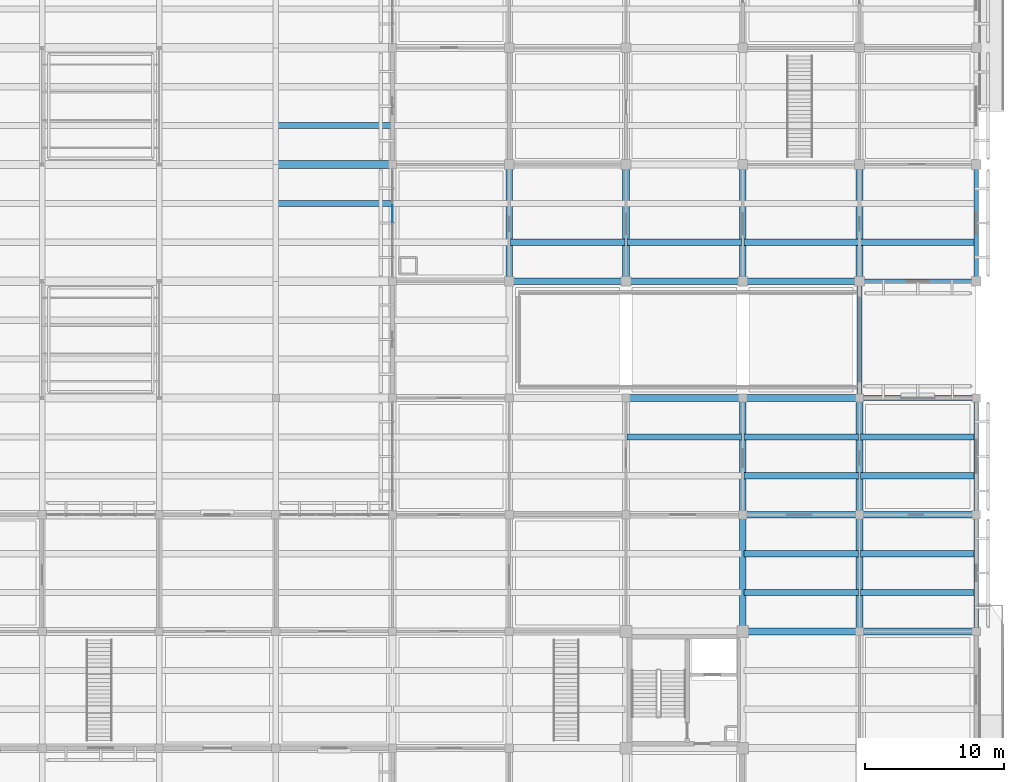
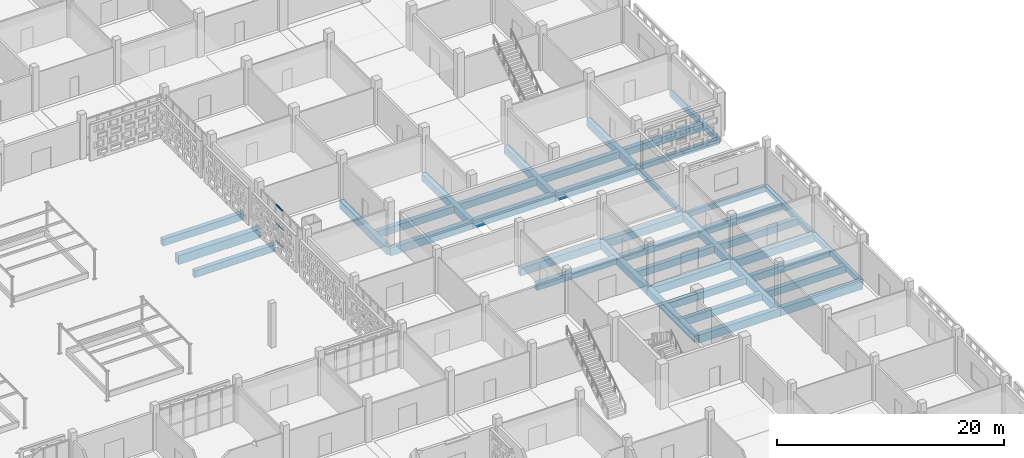
# One storey, part 40 of 129: 39 beams, 3 members, 1 element without a shape of its own.
"""IFC4 building model written with IfcOpenShell, lengths in metres."""

from ifc_helpers import new_model, si_unit, direction, frame, origin, origin_2d, place, context, subcontext, project, spatial, rectangle, extrude, material, layer, layer_set, material_profile, profile_set, type_object, element, aggregate, save


model = new_model("IFC4")

# Units and contexts
model_context = context("Model", 3, precision=1e-05, world=origin(), true_north=direction((0.0, 1.0)))
body_context = subcontext(model_context, "Body", "Model", "MODEL_VIEW")
ifc_project = project(units=[si_unit("LENGTHUNIT", "METRE"), si_unit("AREAUNIT", "SQUARE_METRE"), si_unit("VOLUMEUNIT", "CUBIC_METRE"), si_unit("PLANEANGLEUNIT", "RADIAN"), si_unit("MASSUNIT", "GRAM", prefix="KILO")], contexts=[model_context])

# Site, building, storey
site_placement = place(None, origin())
site = spatial("IfcSite", under=ifc_project, at=site_placement, CompositionType="ELEMENT")
building_placement = place(site_placement, origin())
building = spatial("IfcBuilding", under=site, at=building_placement, Name="Varnapada Polytechnic", CompositionType="ELEMENT")
storey_placement = place(building_placement, origin())
storey = spatial("IfcBuildingStorey", under=building, at=storey_placement, Name="L00", CompositionType="ELEMENT", Elevation=0.0)

# Beams
ifc_material_1 = material(Name="Concrete C40/50", Category="concrete")
ifc_material_profile_1 = material_profile(ifc_material_1, rectangle(XDim=0.449951171875, YDim=0.75, at=origin_2d()), Name="RC 450x750")
ifc_profile_set_1 = profile_set([ifc_material_profile_1], Name="Concrete C40/50")
beam_type_1 = type_object("IfcBeamType", Name="Basement/podium secondary beam BB-01 (RC 450x750)", PredefinedType="BEAM", material=ifc_profile_set_1)
for number, where, z_axis, x_axis, name in (
    (1, (126.080078125, 64.39990234375, -0.675048828125), (1.0, 0.0, 0.0), (0.0, 1.0, 0.0), "L00 floor joist 16/8.2"),
    (2, (126.080078125, 70.0, -0.675048828125), (1.0, 0.0, 0.0), (0.0, 1.0, 0.0), "L00 floor joist 16/9.1"),
):
    element("IfcBeam", number, at=place(storey_placement, frame(where, z_axis=z_axis, x_axis=x_axis)), inside=storey, type_object=beam_type_1, Name=name, PredefinedType="BEAM", context=body_context, shape_type="SweptSolid", body=[
        extrude(rectangle(XDim=0.449951171875, YDim=0.75, at=origin_2d()), origin(), (0.0, 0.0, 1.0), 8.239990234375),
    ])
beam_1_placement = place(storey_placement, frame((142.8798828125, 61.60009765625, -0.675048828125), z_axis=(1.0, 0.0, 0.0), x_axis=(0.0, 1.0, 0.0)))
element("IfcBeam", 3, at=beam_1_placement, inside=storey, type_object=beam_type_1, Name="L00 floor joist 18/8.1", PredefinedType="BEAM", context=body_context, shape_type="SweptSolid", body=[
    extrude(rectangle(XDim=0.449951171875, YDim=0.75, at=origin_2d()), origin(), (0.0, 0.0, 1.0), 8.240234375),
])
for number, where, z_axis, x_axis, name in (
    (4, (151.280029296875, 47.60009765625, -0.675048828125), (1.0, 0.0, 0.0), (0.0, 1.0, 0.0), "L00 floor joist 19/6.2"),
    (5, (151.280029296875, 61.60009765625, -0.675048828125), (1.0, 0.0, 0.0), (0.0, 1.0, 0.0), "L00 floor joist 19/8.1"),
    (6, (159.679931640625, 36.39990234375, -0.675048828125), (1.0, 0.0, 0.0), (0.0, 1.0, 0.0), "L00 floor joist 20/5.1"),
    (7, (159.679931640625, 39.199951171875, -0.675048828125), (1.0, 0.0, 0.0), (0.0, 1.0, 0.0), "L00 floor joist 20/5.2"),
    (8, (159.679931640625, 44.800048828125, -0.675048828125), (1.0, 0.0, 0.0), (0.0, 1.0, 0.0), "L00 floor joist 20/6.1"),
    (9, (159.679931640625, 47.60009765625, -0.675048828125), (1.0, 0.0, 0.0), (0.0, 1.0, 0.0), "L00 floor joist 20/6.2"),
    (10, (159.679931640625, 61.60009765625, -0.675048828125), (1.0, 0.0, 0.0), (0.0, 1.0, 0.0), "L00 floor joist 20/8.1"),
    (11, (168.080078125, 36.39990234375, -0.675048828125), (1.0, 0.0, 0.0), (0.0, 1.0, 0.0), "L00 floor joist 21/5.1"),
    (12, (168.080078125, 39.199951171875, -0.675048828125), (1.0, 0.0, 0.0), (0.0, 1.0, 0.0), "L00 floor joist 21/5.2"),
    (13, (168.080078125, 44.800048828125, -0.675048828125), (1.0, 0.0, 0.0), (0.0, 1.0, 0.0), "L00 floor joist 21/6.1"),
    (14, (168.080078125, 47.60009765625, -0.675048828125), (1.0, 0.0, 0.0), (0.0, 1.0, 0.0), "L00 floor joist 21/6.2"),
    (15, (168.080078125, 61.60009765625, -0.675048828125), (1.0, 0.0, 0.0), (0.0, 1.0, 0.0), "L00 floor joist 21/8.1"),
):
    element("IfcBeam", number, at=place(storey_placement, frame(where, z_axis=z_axis, x_axis=x_axis)), inside=storey, type_object=beam_type_1, Name=name, PredefinedType="BEAM", context=body_context, shape_type="SweptSolid", body=[
        extrude(rectangle(XDim=0.449951171875, YDim=0.75, at=origin_2d()), origin(), (0.0, 0.0, 1.0), 8.239990234375),
    ])
ifc_material_profile_2 = material_profile(ifc_material_1, rectangle(XDim=0.35009765625, YDim=0.550048828125, at=origin_2d()), Name="RC 350x550")
ifc_profile_set_2 = profile_set([ifc_material_profile_2], Name="Concrete C40/50")
beam_type_2 = type_object("IfcBeamType", Name="Concrete podium spandrel beam SP-01 (RC 350x550)", PredefinedType="SPANDREL", material=ifc_profile_set_2)
for number, where, z_axis, x_axis, name in (
    (16, (168.0, 50.39990234375, -0.574951171875), (1.0, 0.0, 0.0), (0.0, 1.0, 0.0), "L00 beam X 21-22 at Y7"),
    (17, (168.0, 58.800048828125, -0.574951171875), (1.0, 0.0, 0.0), (0.0, 1.0, 0.0), "L00 beam X 21-22 at Y8"),
):
    element("IfcBeam", number, at=place(storey_placement, frame(where, z_axis=z_axis, x_axis=x_axis)), inside=storey, type_object=beam_type_2, Name=name, PredefinedType="SPANDREL", context=body_context, shape_type="SweptSolid", body=[
        extrude(rectangle(XDim=0.35009765625, YDim=0.550048828125, at=origin_2d()), origin(), (0.0, 0.0, 1.0), 8.39990234375),
    ])
beam_2_placement = place(storey_placement, frame((168.0, 50.39990234375, -0.574951171875), z_axis=(0.0, 1.0, 0.0), x_axis=(-1.0, 0.0, 0.0)))
element("IfcBeam", 18, at=beam_2_placement, inside=storey, type_object=beam_type_2, Name="L00 beam Y 7-8 at X21", PredefinedType="SPANDREL", context=body_context, shape_type="SweptSolid", body=[
    extrude(rectangle(XDim=0.35009765625, YDim=0.550048828125, at=origin_2d()), origin(), (0.0, 0.0, 1.0), 8.400146484375),
])
for number, where, z_axis, x_axis, name in (
    (19, (176.39990234375, 33.60009765625, -0.574951171875), (0.0, 1.0, 0.0), (-1.0, 0.0, 0.0), "L00 beam Y 5-6 at X22"),
    (20, (176.39990234375, 42.0, -0.574951171875), (0.0, 1.0, 0.0), (-1.0, 0.0, 0.0), "L00 beam Y 6-7 at X22"),
    (21, (176.39990234375, 58.800048828125, -0.574951171875), (0.0, 1.0, 0.0), (-1.0, 0.0, 0.0), "L00 beam Y 8-9 at X22"),
):
    element("IfcBeam", number, at=place(storey_placement, frame(where, z_axis=z_axis, x_axis=x_axis)), inside=storey, type_object=beam_type_2, Name=name, PredefinedType="SPANDREL", context=body_context, shape_type="SweptSolid", body=[
        extrude(rectangle(XDim=0.35009765625, YDim=0.550048828125, at=origin_2d()), origin(), (0.0, 0.0, 1.0), 8.39990234375),
    ])
ifc_material_profile_3 = material_profile(ifc_material_1, rectangle(XDim=0.5, YDim=0.800048828125, at=origin_2d()), Name="RC 500x800")
ifc_profile_set_3 = profile_set([ifc_material_profile_3], Name="Concrete C40/50")
beam_type_3 = type_object("IfcBeamType", Name="Refectory podium girder BB-03 (RC 500x800)", PredefinedType="BEAM", material=ifc_profile_set_3)
for number, where, z_axis, x_axis, name in (
    (22, (142.800048828125, 58.800048828125, -0.699951171875), (0.0, 1.0, 0.0), (-1.0, 0.0, 0.0), "L00 beam Y 8-9 at X18"),
    (23, (151.199951171875, 58.800048828125, -0.699951171875), (0.0, 1.0, 0.0), (-1.0, 0.0, 0.0), "L00 beam Y 8-9 at X19"),
    (24, (159.60009765625, 33.60009765625, -0.699951171875), (0.0, 1.0, 0.0), (-1.0, 0.0, 0.0), "L00 beam Y 5-6 at X20"),
    (25, (159.60009765625, 42.0, -0.699951171875), (0.0, 1.0, 0.0), (-1.0, 0.0, 0.0), "L00 beam Y 6-7 at X20"),
    (26, (159.60009765625, 58.800048828125, -0.699951171875), (0.0, 1.0, 0.0), (-1.0, 0.0, 0.0), "L00 beam Y 8-9 at X20"),
    (27, (168.0, 33.60009765625, -0.699951171875), (0.0, 1.0, 0.0), (-1.0, 0.0, 0.0), "L00 beam Y 5-6 at X21"),
    (28, (168.0, 42.0, -0.699951171875), (0.0, 1.0, 0.0), (-1.0, 0.0, 0.0), "L00 beam Y 6-7 at X21"),
    (29, (168.0, 58.800048828125, -0.699951171875), (0.0, 1.0, 0.0), (-1.0, 0.0, 0.0), "L00 beam Y 8-9 at X21"),
):
    element("IfcBeam", number, at=place(storey_placement, frame(where, z_axis=z_axis, x_axis=x_axis)), inside=storey, type_object=beam_type_3, Name=name, PredefinedType="BEAM", context=body_context, shape_type="SweptSolid", body=[
        extrude(rectangle(XDim=0.5, YDim=0.800048828125, at=origin_2d()), origin(), (0.0, 0.0, 1.0), 8.39990234375),
    ])
ifc_material_profile_4 = material_profile(ifc_material_1, rectangle(XDim=0.5, YDim=0.85009765625, at=origin_2d()), Name="RC 500x850")
ifc_profile_set_4 = profile_set([ifc_material_profile_4], Name="Concrete C40/50")
beam_type_4 = type_object("IfcBeamType", Name="Standard podium primary girder BG-02 (RC 500x850)", PredefinedType="T_BEAM", material=ifc_profile_set_4)
beam_3_placement = place(storey_placement, frame((142.800048828125, 58.800048828125, -0.72509765625), z_axis=(1.0, 0.0, 0.0), x_axis=(0.0, 1.0, 0.0)))
element("IfcBeam", 30, at=beam_3_placement, inside=storey, type_object=beam_type_4, Name="L00 beam X 18-19 at Y8", PredefinedType="T_BEAM", context=body_context, shape_type="SweptSolid", body=[
    extrude(rectangle(XDim=0.5, YDim=0.85009765625, at=origin_2d()), origin(), (0.0, 0.0, 1.0), 8.39990234375),
])
for number, where, z_axis, x_axis, name in (
    (31, (151.199951171875, 50.39990234375, -0.72509765625), (1.0, 0.0, 0.0), (0.0, 1.0, 0.0), "L00 beam X 19-20 at Y7"),
    (32, (151.199951171875, 58.800048828125, -0.72509765625), (1.0, 0.0, 0.0), (0.0, 1.0, 0.0), "L00 beam X 19-20 at Y8"),
):
    element("IfcBeam", number, at=place(storey_placement, frame(where, z_axis=z_axis, x_axis=x_axis)), inside=storey, type_object=beam_type_4, Name=name, PredefinedType="T_BEAM", context=body_context, shape_type="SweptSolid", body=[
        extrude(rectangle(XDim=0.5, YDim=0.85009765625, at=origin_2d()), origin(), (0.0, 0.0, 1.0), 8.400146484375),
    ])
for number, where, z_axis, x_axis, name in (
    (33, (159.60009765625, 33.60009765625, -0.72509765625), (1.0, 0.0, 0.0), (0.0, 1.0, 0.0), "L00 beam X 20-21 at Y5"),
    (34, (159.60009765625, 42.0, -0.72509765625), (1.0, 0.0, 0.0), (0.0, 1.0, 0.0), "L00 beam X 20-21 at Y6"),
    (35, (159.60009765625, 50.39990234375, -0.72509765625), (1.0, 0.0, 0.0), (0.0, 1.0, 0.0), "L00 beam X 20-21 at Y7"),
    (36, (159.60009765625, 58.800048828125, -0.72509765625), (1.0, 0.0, 0.0), (0.0, 1.0, 0.0), "L00 beam X 20-21 at Y8"),
    (37, (168.0, 33.60009765625, -0.72509765625), (1.0, 0.0, 0.0), (0.0, 1.0, 0.0), "L00 beam X 21-22 at Y5"),
    (38, (168.0, 42.0, -0.72509765625), (1.0, 0.0, 0.0), (0.0, 1.0, 0.0), "L00 beam X 21-22 at Y6"),
):
    element("IfcBeam", number, at=place(storey_placement, frame(where, z_axis=z_axis, x_axis=x_axis)), inside=storey, type_object=beam_type_4, Name=name, PredefinedType="T_BEAM", context=body_context, shape_type="SweptSolid", body=[
        extrude(rectangle(XDim=0.5, YDim=0.85009765625, at=origin_2d()), origin(), (0.0, 0.0, 1.0), 8.39990234375),
    ])

# Curtain wall, members
ifc_material_2 = material(Name="Double low-E laminated glass", Category="glass")
ifc_layer = layer(ifc_material_2, 0.159912109375)
ifc_layer_set = layer_set([ifc_layer], Name="Double low-E laminated glass")
curtain_wall_type = type_object("IfcCurtainWallType", Name="Curtain Wall CW-01", PredefinedType="NOTDEFINED", material=ifc_layer_set)
curtain_wall_placement = place(storey_placement, origin())
curtain_wall = element("IfcCurtainWall", 39, at=curtain_wall_placement, inside=storey, type_object=curtain_wall_type, Name="L00 unitised curtain wall CW-01 (17)", PredefinedType="NOTDEFINED")
ifc_material_3 = material(Name="Anodised aluminium", Category="aluminium")
ifc_material_profile_5 = material_profile(ifc_material_3, rectangle(XDim=0.06005859375, YDim=0.1201171875, at=origin_2d()), Name="ALU T60x120")
ifc_profile_set_5 = profile_set([ifc_material_profile_5], Name="Anodised aluminium")
member_type = type_object("IfcMemberType", Name="Transom T-01", PredefinedType="USERDEFINED", material=ifc_profile_set_5)
member_1_placement = place(storey_placement, frame((134.39990234375, 63.030029296875, 0.030029296875), z_axis=(0.0, 1.0, 0.0), x_axis=(-1.0, 0.0, 0.0)))
member_1 = element("IfcMember", 40, at=member_1_placement, type_object=member_type, Name="CW-01 transom 4.1", ObjectType="TRANSOM", PredefinedType="USERDEFINED", context=body_context, shape_type="SweptSolid", body=[
    extrude(rectangle(XDim=0.06005859375, YDim=0.1201171875, at=origin_2d()), origin(), (0.0, 0.0, 1.0), 1.239990234375),
])
member_2_placement = place(storey_placement, frame((134.39990234375, 63.030029296875, 1.90087890625), z_axis=(0.0, 1.0, 0.0), x_axis=(-1.0, 0.0, 0.0)))
member_2 = element("IfcMember", 41, at=member_2_placement, type_object=member_type, Name="CW-01 transom 4.2", ObjectType="TRANSOM", PredefinedType="USERDEFINED", context=body_context, shape_type="SweptSolid", body=[
    extrude(rectangle(XDim=0.06005859375, YDim=0.1201171875, at=origin_2d()), origin(), (0.0, 0.0, 1.0), 1.239990234375),
])
member_3_placement = place(storey_placement, frame((134.39990234375, 63.030029296875, 3.929931640625), z_axis=(0.0, 1.0, 0.0), x_axis=(-1.0, 0.0, 0.0)))
member_3 = element("IfcMember", 42, at=member_3_placement, type_object=member_type, Name="CW-01 transom 4.3", ObjectType="TRANSOM", PredefinedType="USERDEFINED", context=body_context, shape_type="SweptSolid", body=[
    extrude(rectangle(XDim=0.06005859375, YDim=0.1201171875, at=origin_2d()), origin(), (0.0, 0.0, 1.0), 1.239990234375),
])
aggregate(curtain_wall, [member_1, member_2, member_3])

# Beam
ifc_material_profile_6 = material_profile(ifc_material_1, rectangle(XDim=0.60009765625, YDim=0.949951171875, at=origin_2d()), Name="RC 600x950")
ifc_profile_set_6 = profile_set([ifc_material_profile_6], Name="Concrete C40/50")
beam_type_5 = type_object("IfcBeamType", Name="Workshop podium heavy girder BG-03 (RC 600x950)", PredefinedType="T_BEAM", material=ifc_profile_set_6)
beam_4_placement = place(storey_placement, frame((126.0, 67.199951171875, -0.77490234375), z_axis=(1.0, 0.0, 0.0), x_axis=(0.0, 1.0, 0.0)))
element("IfcBeam", 43, at=beam_4_placement, inside=storey, type_object=beam_type_5, Name="L00 beam X 16-17 at Y9", PredefinedType="T_BEAM", context=body_context, shape_type="SweptSolid", body=[
    extrude(rectangle(XDim=0.60009765625, YDim=0.949951171875, at=origin_2d()), origin(), (0.0, 0.0, 1.0), 8.39990234375),
])

save(model, "model.ifc")
